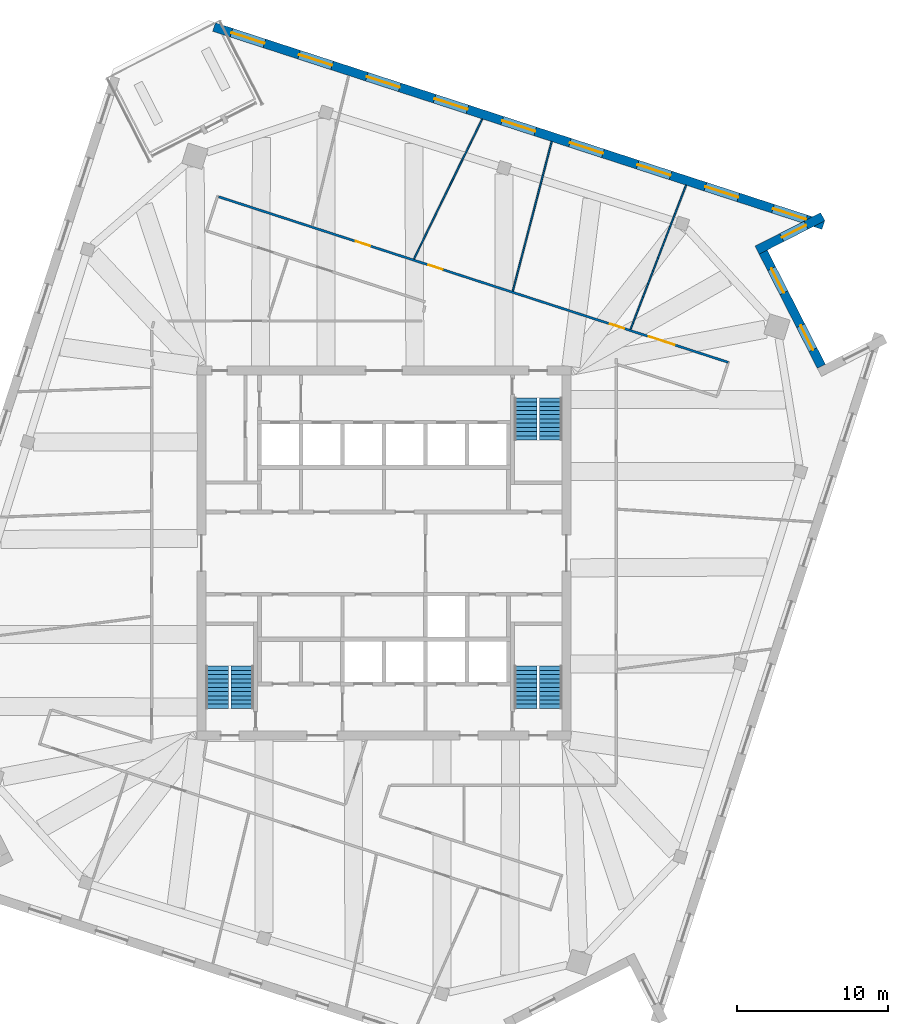
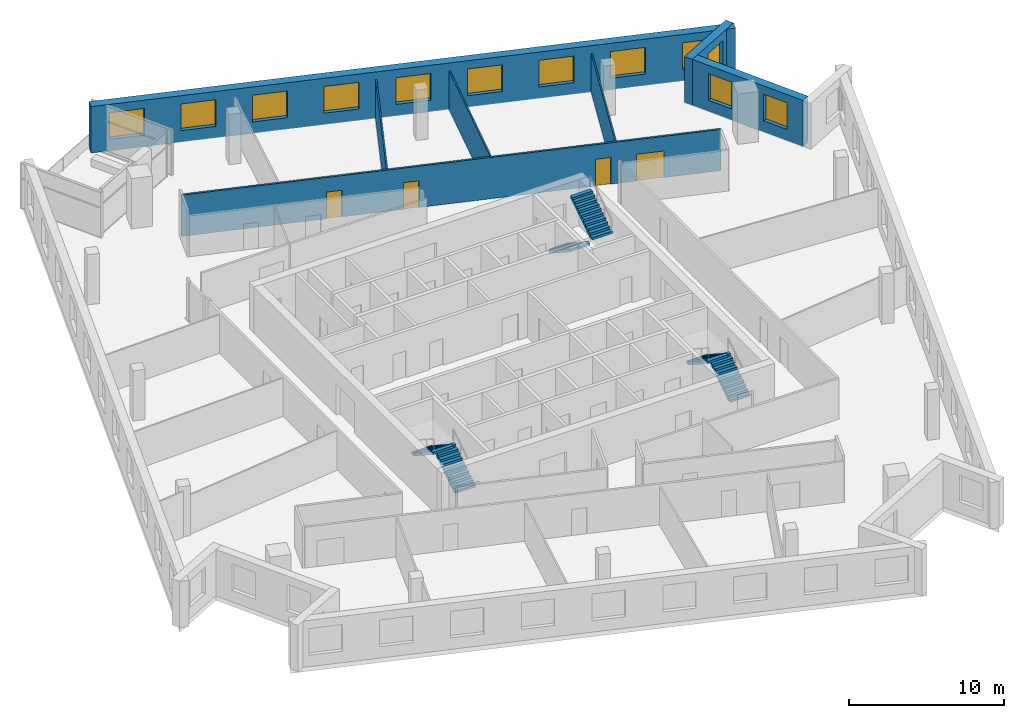
# One storey, part 11 of 13: 12 windows, 7 walls, 6 stair flights, 4 doors, 16 openings, 3 elements without a shape of their own.
"""IFC4 building model written with IfcOpenShell, lengths in metres."""

from ifc_helpers import new_model, si_unit, direction, frame, frame_2d, origin, place, context, subcontext, project, spatial, polyline, rectangle, outline, extrude, material, layer, layer_set, type_object, element, fill, aggregate, save


model = new_model("IFC4")

# Units and contexts
model_context = context("Model", 3, precision=1e-05, world=origin(), true_north=direction((0.0, 1.0)))
body_context = subcontext(model_context, "Body", "Model", "MODEL_VIEW")
ifc_project = project(units=[si_unit("LENGTHUNIT", "METRE"), si_unit("AREAUNIT", "SQUARE_METRE"), si_unit("VOLUMEUNIT", "CUBIC_METRE"), si_unit("PLANEANGLEUNIT", "RADIAN"), si_unit("MASSUNIT", "GRAM", prefix="KILO")], contexts=[model_context])

# Site, building, storey
site_placement = place(None, origin())
site = spatial("IfcSite", under=ifc_project, at=site_placement, CompositionType="ELEMENT")
building_placement = place(site_placement, origin())
building = spatial("IfcBuilding", under=site, at=building_placement, Name="Dilmun Exchange Tower", CompositionType="ELEMENT")
storey_placement = place(building_placement, frame((0.0, 0.0, 316.5)))
storey = spatial("IfcBuildingStorey", under=building, at=storey_placement, Name="L75", CompositionType="ELEMENT", Elevation=316.5)

# Wall, openings, doors
ifc_material_1 = material(Name="Corridor wall 150")
ifc_layer_1 = layer(ifc_material_1, 0.14990234375)
ifc_layer_set_1 = layer_set([ifc_layer_1], Name="Corridor wall 150")
wall_type_1 = type_object("IfcWallType", Name="Corridor wall 150", PredefinedType="PARTITIONING", material=ifc_layer_set_1)
wall_1_placement = place(storey_placement, frame((-10.963623046875, 23.634765625, 0.0), z_axis=(0.0, 0.0, 1.0), x_axis=(0.951055018443, -0.309021604252, 0.0)))
wall_1 = element("IfcWall", 1, at=wall_1_placement, inside=storey, type_object=wall_type_1, Name="Corridor wall", PredefinedType="PARTITIONING", context=body_context, shape_type="SweptSolid", body=[
    extrude(rectangle(XDim=35.536865234375, YDim=0.14990234375, at=frame_2d((17.7685546875, 0.0))), origin(), (0.0, 0.0, 1.0), 3.25),
])
opening_1_placement = place(wall_1_placement, frame((9.5537109375, 0.0, 0.0)))
opening_1 = element("IfcOpeningElement", 2, at=opening_1_placement, cuts=wall_1, Name="Opening TF75-D11", PredefinedType="OPENING", context=body_context, shape_type="SweptSolid", body=[
    extrude(rectangle(XDim=1.0, YDim=2.10009765625, at=frame_2d((0.5, 1.050048828125))), frame((0.0, 0.0849609375, 0.0), z_axis=(0.0, -1.0, 0.0), x_axis=(1.0, 0.0, 0.0)), (0.0, 0.0, 1.0), 0.169921875),
])
opening_2_placement = place(wall_1_placement, frame((14.62890625, 0.0, 0.0)))
opening_2 = element("IfcOpeningElement", 3, at=opening_2_placement, cuts=wall_1, Name="Opening TF75-D14", PredefinedType="OPENING", context=body_context, shape_type="SweptSolid", body=[
    extrude(rectangle(XDim=1.0, YDim=2.10009765625, at=frame_2d((0.5, 1.050048828125))), frame((0.0, 0.0849609375, 0.0), z_axis=(0.0, -1.0, 0.0), x_axis=(1.0, 0.0, 0.0)), (0.0, 0.0, 1.0), 0.169921875),
])
opening_3_placement = place(wall_1_placement, frame((27.287353515625, 0.0, 0.0)))
opening_3 = element("IfcOpeningElement", 4, at=opening_3_placement, cuts=wall_1, Name="Opening TF75-D15", PredefinedType="OPENING", context=body_context, shape_type="SweptSolid", body=[
    extrude(rectangle(XDim=1.0, YDim=2.10009765625, at=frame_2d((0.5, 1.050048828125))), frame((0.0, 0.0849609375, 0.0), z_axis=(0.0, -1.0, 0.0), x_axis=(1.0, 0.0, 0.0)), (0.0, 0.0, 1.0), 0.169921875),
])
opening_4_placement = place(wall_1_placement, frame((29.988037109375, 0.0, 0.0)))
opening_4 = element("IfcOpeningElement", 5, at=opening_4_placement, cuts=wall_1, Name="Opening TF75-D19", PredefinedType="OPENING", context=body_context, shape_type="SweptSolid", body=[
    extrude(rectangle(XDim=1.800048828125, YDim=2.10009765625, at=frame_2d((0.89990234375, 1.050048828125))), frame((0.0, 0.0849609375, 0.0), z_axis=(0.0, -1.0, 0.0), x_axis=(1.0, 0.0, 0.0)), (0.0, 0.0, 1.0), 0.169921875),
])
ifc_material_2 = material(Name="Fire door 1000 x 2100")
door_type_1 = type_object("IfcDoorType", Name="Fire door 1000 x 2100", OperationType="NOTDEFINED", PredefinedType="DOOR", material=ifc_material_2)
door_1_placement = place(opening_1_placement, origin())
door_1 = element("IfcDoor", 6, at=door_1_placement, inside=storey, type_object=door_type_1, Name="Door TF75-D11", OperationType="SINGLE_SWING_RIGHT", OverallHeight=2.10009765625, OverallWidth=1.0, PredefinedType="DOOR", context=body_context, shape_type="SweptSolid", body=[
    extrude(rectangle(XDim=1.0, YDim=2.10009765625, at=frame_2d((0.5, 1.050048828125))), frame((0.0, 0.02490234375, 0.0), z_axis=(0.0, -1.0, 0.0), x_axis=(1.0, 0.0, 0.0)), (0.0, 0.0, 1.0), 0.050048828125),
])
fill(opening_1, door_1)
door_2_placement = place(opening_2_placement, origin())
door_2 = element("IfcDoor", 7, at=door_2_placement, inside=storey, type_object=door_type_1, Name="Door TF75-D14", OperationType="SINGLE_SWING_LEFT", OverallHeight=2.10009765625, OverallWidth=1.0, PredefinedType="DOOR", context=body_context, shape_type="SweptSolid", body=[
    extrude(rectangle(XDim=1.0, YDim=2.10009765625, at=frame_2d((0.5, 1.050048828125))), frame((0.0, 0.02490234375, 0.0), z_axis=(0.0, -1.0, 0.0), x_axis=(1.0, 0.0, 0.0)), (0.0, 0.0, 1.0), 0.050048828125),
])
fill(opening_2, door_2)
door_3_placement = place(opening_3_placement, origin())
door_3 = element("IfcDoor", 8, at=door_3_placement, inside=storey, type_object=door_type_1, Name="Door TF75-D15", OperationType="SINGLE_SWING_LEFT", OverallHeight=2.10009765625, OverallWidth=1.0, PredefinedType="DOOR", context=body_context, shape_type="SweptSolid", body=[
    extrude(rectangle(XDim=1.0, YDim=2.10009765625, at=frame_2d((0.5, 1.050048828125))), frame((0.0, 0.02490234375, 0.0), z_axis=(0.0, -1.0, 0.0), x_axis=(1.0, 0.0, 0.0)), (0.0, 0.0, 1.0), 0.050048828125),
])
fill(opening_3, door_3)
ifc_material_3 = material(Name="Fire door pair 1800 x 2100")
door_type_2 = type_object("IfcDoorType", Name="Fire door pair 1800 x 2100", OperationType="NOTDEFINED", PredefinedType="DOOR", material=ifc_material_3)
door_4_placement = place(opening_4_placement, origin())
door_4 = element("IfcDoor", 9, at=door_4_placement, inside=storey, type_object=door_type_2, Name="Door TF75-D19", OperationType="DOUBLE_DOOR_SINGLE_SWING", OverallHeight=2.10009765625, OverallWidth=1.800048828125, PredefinedType="DOOR", context=body_context, shape_type="SweptSolid", body=[
    extrude(rectangle(XDim=1.800048828125, YDim=2.10009765625, at=frame_2d((0.89990234375, 1.050048828125))), frame((0.0, 0.02490234375, 0.0), z_axis=(0.0, -1.0, 0.0), x_axis=(1.0, 0.0, 0.0)), (0.0, 0.0, 1.0), 0.050048828125),
])
fill(opening_4, door_4)

# Walls
ifc_material_4 = material(Name="Partition 100")
ifc_layer_2 = layer(ifc_material_4, 0.10009765625)
ifc_layer_set_2 = layer_set([ifc_layer_2], Name="Partition 100")
wall_type_2 = type_object("IfcWallType", Name="Partition 100", PredefinedType="PARTITIONING", material=ifc_layer_set_2)
wall_2_placement = place(storey_placement, frame((1.9873046875, 19.513427734375, 0.0), z_axis=(0.0, 0.0, 1.0), x_axis=(0.438663040854, 0.898651621369, 0.0)))
element("IfcWall", 10, at=wall_2_placement, inside=storey, type_object=wall_type_2, Name="Partition", PredefinedType="PARTITIONING", context=body_context, shape_type="SweptSolid", body=[
    extrude(rectangle(XDim=10.326416015625, YDim=0.10009765625, at=frame_2d((5.1630859375, 0.0))), origin(), (0.0, 0.0, 1.0), 3.050048828125),
])
wall_3_placement = place(storey_placement, frame((8.542724609375, 17.378662109375, 0.0), z_axis=(0.0, 0.0, 1.0), x_axis=(0.251516032517, 0.967853132137, 0.0)))
element("IfcWall", 11, at=wall_3_placement, inside=storey, type_object=wall_type_2, Name="Partition", PredefinedType="PARTITIONING", context=body_context, shape_type="SweptSolid", body=[
    extrude(rectangle(XDim=10.248291015625, YDim=0.10009765625, at=frame_2d((5.1240234375, 0.0))), origin(), (0.0, 0.0, 1.0), 3.050048828125),
])
wall_4_placement = place(storey_placement, frame((16.347900390625, 14.842529296875, 0.0), z_axis=(0.0, 0.0, 1.0), x_axis=(0.360002455437, 0.932951355687, 0.0)))
element("IfcWall", 12, at=wall_4_placement, inside=storey, type_object=wall_type_2, Name="Partition", PredefinedType="PARTITIONING", context=body_context, shape_type="SweptSolid", body=[
    extrude(rectangle(XDim=10.2451171875, YDim=0.10009765625, at=frame_2d((5.12255859375, 0.0))), origin(), (0.0, 0.0, 1.0), 3.050048828125),
])

# Wall, openings, windows
ifc_material_5 = material(Name="Precast concrete C50/60", Category="concrete")
ifc_layer_3 = layer(ifc_material_5, 0.60009765625)
ifc_layer_set_3 = layer_set([ifc_layer_3], Name="Precast concrete C50/60")
wall_type_3 = type_object("IfcWallType", Name="Precast stone-clad wall 600", PredefinedType="STANDARD", material=ifc_layer_set_3)
wall_5_placement = place(storey_placement, frame((29.006103515625, 12.39013671875, 0.0), z_axis=(0.0, 0.0, 1.0), x_axis=(-0.453979132966, 0.891012315758, 0.0)))
wall_5 = element("IfcWall", 13, at=wall_5_placement, inside=storey, type_object=wall_type_3, Name="Facade wall L75-13", PredefinedType="STANDARD", context=body_context, shape_type="SweptSolid", body=[
    extrude(rectangle(XDim=8.500244140625, YDim=0.60009765625, at=frame_2d((4.25, 0.0))), origin(), (0.0, 0.0, 1.0), 3.64990234375),
])
opening_5_placement = place(wall_5_placement, frame((1.22509765625, 0.0, 0.89990234375)))
opening_5 = element("IfcOpeningElement", 14, at=opening_5_placement, cuts=wall_5, Name="Opening W180-210", PredefinedType="OPENING", context=body_context, shape_type="SweptSolid", body=[
    extrude(rectangle(XDim=1.800048828125, YDim=2.10009765625, at=frame_2d((0.89990234375, 1.050048828125))), frame((0.0, 0.31005859375, 0.0), z_axis=(0.0, -1.0, 0.0), x_axis=(1.0, 0.0, 0.0)), (0.0, 0.0, 1.0), 0.6201171875),
])
opening_6_placement = place(wall_5_placement, frame((5.47509765625, 0.0, 0.89990234375)))
opening_6 = element("IfcOpeningElement", 15, at=opening_6_placement, cuts=wall_5, Name="Opening W180-210", PredefinedType="OPENING", context=body_context, shape_type="SweptSolid", body=[
    extrude(rectangle(XDim=1.800048828125, YDim=2.10009765625, at=frame_2d((0.89990234375, 1.050048828125))), frame((0.0, 0.31005859375, 0.0), z_axis=(0.0, -1.0, 0.0), x_axis=(1.0, 0.0, 0.0)), (0.0, 0.0, 1.0), 0.6201171875),
])
ifc_material_6 = material(Name="Clear low-emissivity glass in aluminium frame", Category="aluminium")
window_type_1 = type_object("IfcWindowType", Name="Punched window 1800 x 2100", PartitioningType="DOUBLE_PANEL_VERTICAL", PredefinedType="WINDOW", material=ifc_material_6)
window_1_placement = place(opening_5_placement, origin())
window_1 = element("IfcWindow", 16, at=window_1_placement, inside=storey, type_object=window_type_1, Name="Window 14.1", OverallHeight=2.10009765625, OverallWidth=1.800048828125, PartitioningType="SINGLE_PANEL", PredefinedType="WINDOW", context=body_context, shape_type="SweptSolid", body=[
    extrude(rectangle(XDim=1.800048828125, YDim=2.10009765625, at=frame_2d((0.89990234375, 1.050048828125))), frame((0.0, 0.030029296875, 0.0), z_axis=(0.0, -1.0, 0.0), x_axis=(1.0, 0.0, 0.0)), (0.0, 0.0, 1.0), 0.06005859375),
])
fill(opening_5, window_1)
window_2_placement = place(opening_6_placement, origin())
window_2 = element("IfcWindow", 17, at=window_2_placement, inside=storey, type_object=window_type_1, Name="Window 14.2", OverallHeight=2.10009765625, OverallWidth=1.800048828125, PartitioningType="SINGLE_PANEL", PredefinedType="WINDOW", context=body_context, shape_type="SweptSolid", body=[
    extrude(rectangle(XDim=1.800048828125, YDim=2.10009765625, at=frame_2d((0.89990234375, 1.050048828125))), frame((0.0, 0.030029296875, 0.0), z_axis=(0.0, -1.0, 0.0), x_axis=(1.0, 0.0, 0.0)), (0.0, 0.0, 1.0), 0.06005859375),
])
fill(opening_6, window_2)

# Wall, opening, window
wall_6_placement = place(storey_placement, frame((24.74365234375, 20.094970703125, 0.0), z_axis=(0.0, 0.0, 1.0), x_axis=(0.891003264926, 0.453996896346, 0.0)))
wall_6 = element("IfcWall", 18, at=wall_6_placement, inside=storey, type_object=wall_type_3, Name="Facade wall L75-14", PredefinedType="STANDARD", context=body_context, shape_type="SweptSolid", body=[
    extrude(rectangle(XDim=4.885498046875, YDim=0.60009765625, at=frame_2d((2.44287109375, 0.0))), origin(), (0.0, 0.0, 1.0), 3.64990234375),
])
opening_7_placement = place(wall_6_placement, frame((1.8427734375, 0.0, 0.89990234375)))
opening_7 = element("IfcOpeningElement", 19, at=opening_7_placement, cuts=wall_6, Name="Opening W180-210", PredefinedType="OPENING", context=body_context, shape_type="SweptSolid", body=[
    extrude(rectangle(XDim=1.800048828125, YDim=2.10009765625, at=frame_2d((0.89990234375, 1.050048828125))), frame((0.0, 0.31005859375, 0.0), z_axis=(0.0, -1.0, 0.0), x_axis=(1.0, 0.0, 0.0)), (0.0, 0.0, 1.0), 0.6201171875),
])
window_3_placement = place(opening_7_placement, origin())
window_3 = element("IfcWindow", 20, at=window_3_placement, inside=storey, type_object=window_type_1, Name="Window 15.1", OverallHeight=2.10009765625, OverallWidth=1.800048828125, PartitioningType="SINGLE_PANEL", PredefinedType="WINDOW", context=body_context, shape_type="SweptSolid", body=[
    extrude(rectangle(XDim=1.800048828125, YDim=2.10009765625, at=frame_2d((0.89990234375, 1.050048828125))), frame((0.0, 0.030029296875, 0.0), z_axis=(0.0, -1.0, 0.0), x_axis=(1.0, 0.0, 0.0)), (0.0, 0.0, 1.0), 0.06005859375),
])
fill(opening_7, window_3)

# Wall, openings, windows
wall_7_placement = place(storey_placement, frame((29.14013671875, 21.76025390625, 0.0), z_axis=(0.0, 0.0, 1.0), x_axis=(-0.951057712071, 0.309013314132, 0.0)))
wall_7 = element("IfcWall", 21, at=wall_7_placement, inside=storey, type_object=wall_type_3, Name="Facade wall L75-15", PredefinedType="STANDARD", context=body_context, shape_type="SweptSolid", body=[
    extrude(rectangle(XDim=42.48974609375, YDim=0.60009765625, at=frame_2d((21.244873046875, 0.0))), origin(), (0.0, 0.0, 1.0), 3.64990234375),
])
opening_8_placement = place(wall_7_placement, frame((1.21044921875, 0.0, 0.89990234375)))
opening_8 = element("IfcOpeningElement", 22, at=opening_8_placement, cuts=wall_7, Name="Opening W230-210", PredefinedType="OPENING", context=body_context, shape_type="SweptSolid", body=[
    extrude(rectangle(XDim=2.300048828125, YDim=2.10009765625, at=frame_2d((1.14990234375, 1.050048828125))), frame((0.0, 0.31005859375, 0.0), z_axis=(0.0, -1.0, 0.0), x_axis=(1.0, 0.0, 0.0)), (0.0, 0.0, 1.0), 0.6201171875),
])
opening_9_placement = place(wall_7_placement, frame((5.931640625, 0.0, 0.89990234375)))
opening_9 = element("IfcOpeningElement", 23, at=opening_9_placement, cuts=wall_7, Name="Opening W230-210", PredefinedType="OPENING", context=body_context, shape_type="SweptSolid", body=[
    extrude(rectangle(XDim=2.300048828125, YDim=2.10009765625, at=frame_2d((1.14990234375, 1.050048828125))), frame((0.0, 0.31005859375, 0.0), z_axis=(0.0, -1.0, 0.0), x_axis=(1.0, 0.0, 0.0)), (0.0, 0.0, 1.0), 0.6201171875),
])
opening_10_placement = place(wall_7_placement, frame((10.652587890625, 0.0, 0.89990234375)))
opening_10 = element("IfcOpeningElement", 24, at=opening_10_placement, cuts=wall_7, Name="Opening W230-210", PredefinedType="OPENING", context=body_context, shape_type="SweptSolid", body=[
    extrude(rectangle(XDim=2.300048828125, YDim=2.10009765625, at=frame_2d((1.14990234375, 1.050048828125))), frame((0.0, 0.31005859375, 0.0), z_axis=(0.0, -1.0, 0.0), x_axis=(1.0, 0.0, 0.0)), (0.0, 0.0, 1.0), 0.6201171875),
])
opening_11_placement = place(wall_7_placement, frame((15.373779296875, 0.0, 0.89990234375)))
opening_11 = element("IfcOpeningElement", 25, at=opening_11_placement, cuts=wall_7, Name="Opening W230-210", PredefinedType="OPENING", context=body_context, shape_type="SweptSolid", body=[
    extrude(rectangle(XDim=2.300048828125, YDim=2.10009765625, at=frame_2d((1.14990234375, 1.050048828125))), frame((0.0, 0.31005859375, 0.0), z_axis=(0.0, -1.0, 0.0), x_axis=(1.0, 0.0, 0.0)), (0.0, 0.0, 1.0), 0.6201171875),
])
opening_12_placement = place(wall_7_placement, frame((20.0947265625, 0.0, 0.89990234375)))
opening_12 = element("IfcOpeningElement", 26, at=opening_12_placement, cuts=wall_7, Name="Opening W230-210", PredefinedType="OPENING", context=body_context, shape_type="SweptSolid", body=[
    extrude(rectangle(XDim=2.300048828125, YDim=2.10009765625, at=frame_2d((1.14990234375, 1.050048828125))), frame((0.0, 0.31005859375, 0.0), z_axis=(0.0, -1.0, 0.0), x_axis=(1.0, 0.0, 0.0)), (0.0, 0.0, 1.0), 0.6201171875),
])
opening_13_placement = place(wall_7_placement, frame((24.81591796875, 0.0, 0.89990234375)))
opening_13 = element("IfcOpeningElement", 27, at=opening_13_placement, cuts=wall_7, Name="Opening W230-210", PredefinedType="OPENING", context=body_context, shape_type="SweptSolid", body=[
    extrude(rectangle(XDim=2.300048828125, YDim=2.10009765625, at=frame_2d((1.14990234375, 1.050048828125))), frame((0.0, 0.31005859375, 0.0), z_axis=(0.0, -1.0, 0.0), x_axis=(1.0, 0.0, 0.0)), (0.0, 0.0, 1.0), 0.6201171875),
])
opening_14_placement = place(wall_7_placement, frame((29.536865234375, 0.0, 0.89990234375)))
opening_14 = element("IfcOpeningElement", 28, at=opening_14_placement, cuts=wall_7, Name="Opening W230-210", PredefinedType="OPENING", context=body_context, shape_type="SweptSolid", body=[
    extrude(rectangle(XDim=2.300048828125, YDim=2.10009765625, at=frame_2d((1.14990234375, 1.050048828125))), frame((0.0, 0.31005859375, 0.0), z_axis=(0.0, -1.0, 0.0), x_axis=(1.0, 0.0, 0.0)), (0.0, 0.0, 1.0), 0.6201171875),
])
opening_15_placement = place(wall_7_placement, frame((34.258056640625, 0.0, 0.89990234375)))
opening_15 = element("IfcOpeningElement", 29, at=opening_15_placement, cuts=wall_7, Name="Opening W230-210", PredefinedType="OPENING", context=body_context, shape_type="SweptSolid", body=[
    extrude(rectangle(XDim=2.300048828125, YDim=2.10009765625, at=frame_2d((1.14990234375, 1.050048828125))), frame((0.0, 0.31005859375, 0.0), z_axis=(0.0, -1.0, 0.0), x_axis=(1.0, 0.0, 0.0)), (0.0, 0.0, 1.0), 0.6201171875),
])
opening_16_placement = place(wall_7_placement, frame((38.97900390625, 0.0, 0.89990234375)))
opening_16 = element("IfcOpeningElement", 30, at=opening_16_placement, cuts=wall_7, Name="Opening W230-210", PredefinedType="OPENING", context=body_context, shape_type="SweptSolid", body=[
    extrude(rectangle(XDim=2.300048828125, YDim=2.10009765625, at=frame_2d((1.14990234375, 1.050048828125))), frame((0.0, 0.31005859375, 0.0), z_axis=(0.0, -1.0, 0.0), x_axis=(1.0, 0.0, 0.0)), (0.0, 0.0, 1.0), 0.6201171875),
])
window_type_2 = type_object("IfcWindowType", Name="Punched window 2300 x 2100", PartitioningType="DOUBLE_PANEL_VERTICAL", PredefinedType="WINDOW", material=ifc_material_6)
window_4_placement = place(opening_8_placement, origin())
window_4 = element("IfcWindow", 31, at=window_4_placement, inside=storey, type_object=window_type_2, Name="Window 16.1", OverallHeight=2.10009765625, OverallWidth=2.300048828125, PartitioningType="SINGLE_PANEL", PredefinedType="WINDOW", context=body_context, shape_type="SweptSolid", body=[
    extrude(rectangle(XDim=2.300048828125, YDim=2.10009765625, at=frame_2d((1.14990234375, 1.050048828125))), frame((0.0, 0.030029296875, 0.0), z_axis=(0.0, -1.0, 0.0), x_axis=(1.0, 0.0, 0.0)), (0.0, 0.0, 1.0), 0.06005859375),
])
fill(opening_8, window_4)
window_5_placement = place(opening_9_placement, origin())
window_5 = element("IfcWindow", 32, at=window_5_placement, inside=storey, type_object=window_type_2, Name="Window 16.2", OverallHeight=2.10009765625, OverallWidth=2.300048828125, PartitioningType="SINGLE_PANEL", PredefinedType="WINDOW", context=body_context, shape_type="SweptSolid", body=[
    extrude(rectangle(XDim=2.300048828125, YDim=2.10009765625, at=frame_2d((1.14990234375, 1.050048828125))), frame((0.0, 0.030029296875, 0.0), z_axis=(0.0, -1.0, 0.0), x_axis=(1.0, 0.0, 0.0)), (0.0, 0.0, 1.0), 0.06005859375),
])
fill(opening_9, window_5)
window_6_placement = place(opening_10_placement, origin())
window_6 = element("IfcWindow", 33, at=window_6_placement, inside=storey, type_object=window_type_2, Name="Window 16.3", OverallHeight=2.10009765625, OverallWidth=2.300048828125, PartitioningType="SINGLE_PANEL", PredefinedType="WINDOW", context=body_context, shape_type="SweptSolid", body=[
    extrude(rectangle(XDim=2.300048828125, YDim=2.10009765625, at=frame_2d((1.14990234375, 1.050048828125))), frame((0.0, 0.030029296875, 0.0), z_axis=(0.0, -1.0, 0.0), x_axis=(1.0, 0.0, 0.0)), (0.0, 0.0, 1.0), 0.06005859375),
])
fill(opening_10, window_6)
window_7_placement = place(opening_11_placement, origin())
window_7 = element("IfcWindow", 34, at=window_7_placement, inside=storey, type_object=window_type_2, Name="Window 16.4", OverallHeight=2.10009765625, OverallWidth=2.300048828125, PartitioningType="SINGLE_PANEL", PredefinedType="WINDOW", context=body_context, shape_type="SweptSolid", body=[
    extrude(rectangle(XDim=2.300048828125, YDim=2.10009765625, at=frame_2d((1.14990234375, 1.050048828125))), frame((0.0, 0.030029296875, 0.0), z_axis=(0.0, -1.0, 0.0), x_axis=(1.0, 0.0, 0.0)), (0.0, 0.0, 1.0), 0.06005859375),
])
fill(opening_11, window_7)
window_8_placement = place(opening_12_placement, origin())
window_8 = element("IfcWindow", 35, at=window_8_placement, inside=storey, type_object=window_type_2, Name="Window 16.5", OverallHeight=2.10009765625, OverallWidth=2.300048828125, PartitioningType="SINGLE_PANEL", PredefinedType="WINDOW", context=body_context, shape_type="SweptSolid", body=[
    extrude(rectangle(XDim=2.300048828125, YDim=2.10009765625, at=frame_2d((1.14990234375, 1.050048828125))), frame((0.0, 0.030029296875, 0.0), z_axis=(0.0, -1.0, 0.0), x_axis=(1.0, 0.0, 0.0)), (0.0, 0.0, 1.0), 0.06005859375),
])
fill(opening_12, window_8)
window_9_placement = place(opening_13_placement, origin())
window_9 = element("IfcWindow", 36, at=window_9_placement, inside=storey, type_object=window_type_2, Name="Window 16.6", OverallHeight=2.10009765625, OverallWidth=2.300048828125, PartitioningType="SINGLE_PANEL", PredefinedType="WINDOW", context=body_context, shape_type="SweptSolid", body=[
    extrude(rectangle(XDim=2.300048828125, YDim=2.10009765625, at=frame_2d((1.14990234375, 1.050048828125))), frame((0.0, 0.030029296875, 0.0), z_axis=(0.0, -1.0, 0.0), x_axis=(1.0, 0.0, 0.0)), (0.0, 0.0, 1.0), 0.06005859375),
])
fill(opening_13, window_9)
window_10_placement = place(opening_14_placement, origin())
window_10 = element("IfcWindow", 37, at=window_10_placement, inside=storey, type_object=window_type_2, Name="Window 16.7", OverallHeight=2.10009765625, OverallWidth=2.300048828125, PartitioningType="SINGLE_PANEL", PredefinedType="WINDOW", context=body_context, shape_type="SweptSolid", body=[
    extrude(rectangle(XDim=2.300048828125, YDim=2.10009765625, at=frame_2d((1.14990234375, 1.050048828125))), frame((0.0, 0.030029296875, 0.0), z_axis=(0.0, -1.0, 0.0), x_axis=(1.0, 0.0, 0.0)), (0.0, 0.0, 1.0), 0.06005859375),
])
fill(opening_14, window_10)
window_11_placement = place(opening_15_placement, origin())
window_11 = element("IfcWindow", 38, at=window_11_placement, inside=storey, type_object=window_type_2, Name="Window 16.8", OverallHeight=2.10009765625, OverallWidth=2.300048828125, PartitioningType="SINGLE_PANEL", PredefinedType="WINDOW", context=body_context, shape_type="SweptSolid", body=[
    extrude(rectangle(XDim=2.300048828125, YDim=2.10009765625, at=frame_2d((1.14990234375, 1.050048828125))), frame((0.0, 0.030029296875, 0.0), z_axis=(0.0, -1.0, 0.0), x_axis=(1.0, 0.0, 0.0)), (0.0, 0.0, 1.0), 0.06005859375),
])
fill(opening_15, window_11)
window_12_placement = place(opening_16_placement, origin())
window_12 = element("IfcWindow", 39, at=window_12_placement, inside=storey, type_object=window_type_2, Name="Window 16.9", OverallHeight=2.10009765625, OverallWidth=2.300048828125, PartitioningType="SINGLE_PANEL", PredefinedType="WINDOW", context=body_context, shape_type="SweptSolid", body=[
    extrude(rectangle(XDim=2.300048828125, YDim=2.10009765625, at=frame_2d((1.14990234375, 1.050048828125))), frame((0.0, 0.030029296875, 0.0), z_axis=(0.0, -1.0, 0.0), x_axis=(1.0, 0.0, 0.0)), (0.0, 0.0, 1.0), 0.06005859375),
])
fill(opening_16, window_12)

# Stair, stair flights
ifc_material_7 = material(Name="Concrete C40/50", Category="concrete")
stair_type = type_object("IfcStairType", Name="Exit stair 1500 half-turn", PredefinedType="HALF_TURN_STAIR", material=ifc_material_7)
stair_1_placement = place(storey_placement, origin())
stair_1 = element("IfcStair", 40, at=stair_1_placement, inside=storey, type_object=stair_type, Name="L75 Protected exit stair ST1", PredefinedType="HALF_TURN_STAIR")
stair_flight_type = type_object("IfcStairFlightType", Name="Exit stair flight 1500", PredefinedType="STRAIGHT", material=ifc_material_7)
stair_flight_1_placement = place(storey_placement, frame((9.39990234375, 10.300048828125, 0.0), z_axis=(0.0, 0.0, 1.0), x_axis=(0.0, -1.0, 0.0)))
stair_flight_1 = element("IfcStairFlight", 41, at=stair_flight_1_placement, type_object=stair_flight_type, Name="ST1 flight 1", NumberOfRisers=11, NumberOfTreads=10, PredefinedType="STRAIGHT", RiserHeight=0.181818182, TreadLength=0.28, context=body_context, shape_type="SweptSolid", body=[
    extrude(outline(polyline([(0.0, 0.0), (0.0, 0.181884765625), (0.280029296875, 0.181884765625), (0.280029296875, 0.363525390625), (0.56005859375, 0.363525390625), (0.56005859375, 0.54541015625), (0.840087890625, 0.54541015625), (0.840087890625, 0.727294921875), (1.1201171875, 0.727294921875), (1.1201171875, 0.9091796875), (1.39990234375, 0.9091796875), (1.39990234375, 1.0908203125), (1.679931640625, 1.0908203125), (1.679931640625, 1.272705078125), (1.9599609375, 1.272705078125), (1.9599609375, 1.45458984375), (2.239990234375, 1.45458984375), (2.239990234375, 1.636474609375), (2.52001953125, 1.636474609375), (2.52001953125, 1.818115234375), (2.800048828125, 1.818115234375), (2.800048828125, 2.0), (2.800048828125, 1.639404296875), (0.275146484375, 0.0), (0.0, 0.0)])), frame((0.0, 0.75, 0.0), z_axis=(0.0, -1.0, 0.0), x_axis=(1.0, 0.0, 0.0)), (0.0, 0.0, 1.0), 1.5),
])
stair_flight_2_placement = place(storey_placement, frame((11.050048828125, 7.5, 2.0), z_axis=(0.0, 0.0, 1.0), x_axis=(0.0, 1.0, 0.0)))
stair_flight_2 = element("IfcStairFlight", 42, at=stair_flight_2_placement, type_object=stair_flight_type, Name="ST1 flight 2", NumberOfRisers=11, NumberOfTreads=10, PredefinedType="STRAIGHT", RiserHeight=0.181818182, TreadLength=0.28, context=body_context, shape_type="SweptSolid", body=[
    extrude(outline(polyline([(0.0, 0.0), (0.0, 0.181884765625), (0.280029296875, 0.181884765625), (0.280029296875, 0.363525390625), (0.56005859375, 0.363525390625), (0.56005859375, 0.54541015625), (0.840087890625, 0.54541015625), (0.840087890625, 0.727294921875), (1.1201171875, 0.727294921875), (1.1201171875, 0.9091796875), (1.39990234375, 0.9091796875), (1.39990234375, 1.0908203125), (1.679931640625, 1.0908203125), (1.679931640625, 1.272705078125), (1.9599609375, 1.272705078125), (1.9599609375, 1.45458984375), (2.239990234375, 1.45458984375), (2.239990234375, 1.636474609375), (2.52001953125, 1.636474609375), (2.52001953125, 1.818115234375), (2.800048828125, 1.818115234375), (2.800048828125, 2.0), (2.800048828125, 1.639404296875), (0.275146484375, 0.0), (0.0, 0.0)])), frame((0.0, 0.75, 0.0), z_axis=(0.0, -1.0, 0.0), x_axis=(1.0, 0.0, 0.0)), (0.0, 0.0, 1.0), 1.5),
])
aggregate(stair_1, [stair_flight_1, stair_flight_2])

stair_2_placement = place(storey_placement, origin())
stair_2 = element("IfcStair", 43, at=stair_2_placement, inside=storey, type_object=stair_type, Name="L75 Protected exit stair ST2", PredefinedType="HALF_TURN_STAIR")
stair_flight_3_placement = place(storey_placement, frame((-9.39990234375, -10.300048828125, 0.0), z_axis=(0.0, 0.0, 1.0), x_axis=(0.0, 1.0, 0.0)))
stair_flight_3 = element("IfcStairFlight", 44, at=stair_flight_3_placement, type_object=stair_flight_type, Name="ST2 flight 1", NumberOfRisers=11, NumberOfTreads=10, PredefinedType="STRAIGHT", RiserHeight=0.181818182, TreadLength=0.28, context=body_context, shape_type="SweptSolid", body=[
    extrude(outline(polyline([(0.0, 0.0), (0.0, 0.181884765625), (0.280029296875, 0.181884765625), (0.280029296875, 0.363525390625), (0.56005859375, 0.363525390625), (0.56005859375, 0.54541015625), (0.840087890625, 0.54541015625), (0.840087890625, 0.727294921875), (1.1201171875, 0.727294921875), (1.1201171875, 0.9091796875), (1.39990234375, 0.9091796875), (1.39990234375, 1.0908203125), (1.679931640625, 1.0908203125), (1.679931640625, 1.272705078125), (1.9599609375, 1.272705078125), (1.9599609375, 1.45458984375), (2.239990234375, 1.45458984375), (2.239990234375, 1.636474609375), (2.52001953125, 1.636474609375), (2.52001953125, 1.818115234375), (2.800048828125, 1.818115234375), (2.800048828125, 2.0), (2.800048828125, 1.639404296875), (0.275146484375, 0.0), (0.0, 0.0)])), frame((0.0, 0.75, 0.0), z_axis=(0.0, -1.0, 0.0), x_axis=(1.0, 0.0, 0.0)), (0.0, 0.0, 1.0), 1.5),
])
stair_flight_4_placement = place(storey_placement, frame((-11.050048828125, -7.5, 2.0), z_axis=(0.0, 0.0, 1.0), x_axis=(0.0, -1.0, 0.0)))
stair_flight_4 = element("IfcStairFlight", 45, at=stair_flight_4_placement, type_object=stair_flight_type, Name="ST2 flight 2", NumberOfRisers=11, NumberOfTreads=10, PredefinedType="STRAIGHT", RiserHeight=0.181818182, TreadLength=0.28, context=body_context, shape_type="SweptSolid", body=[
    extrude(outline(polyline([(0.0, 0.0), (0.0, 0.181884765625), (0.280029296875, 0.181884765625), (0.280029296875, 0.363525390625), (0.56005859375, 0.363525390625), (0.56005859375, 0.54541015625), (0.840087890625, 0.54541015625), (0.840087890625, 0.727294921875), (1.1201171875, 0.727294921875), (1.1201171875, 0.9091796875), (1.39990234375, 0.9091796875), (1.39990234375, 1.0908203125), (1.679931640625, 1.0908203125), (1.679931640625, 1.272705078125), (1.9599609375, 1.272705078125), (1.9599609375, 1.45458984375), (2.239990234375, 1.45458984375), (2.239990234375, 1.636474609375), (2.52001953125, 1.636474609375), (2.52001953125, 1.818115234375), (2.800048828125, 1.818115234375), (2.800048828125, 2.0), (2.800048828125, 1.639404296875), (0.275146484375, 0.0), (0.0, 0.0)])), frame((0.0, 0.75, 0.0), z_axis=(0.0, -1.0, 0.0), x_axis=(1.0, 0.0, 0.0)), (0.0, 0.0, 1.0), 1.5),
])
aggregate(stair_2, [stair_flight_3, stair_flight_4])

stair_3_placement = place(storey_placement, origin())
stair_3 = element("IfcStair", 46, at=stair_3_placement, inside=storey, type_object=stair_type, Name="L75 Protected exit stair ST3", PredefinedType="HALF_TURN_STAIR")
stair_flight_5_placement = place(storey_placement, frame((11.050048828125, -10.300048828125, 0.0), z_axis=(0.0, 0.0, 1.0), x_axis=(0.0, 1.0, 0.0)))
stair_flight_5 = element("IfcStairFlight", 47, at=stair_flight_5_placement, type_object=stair_flight_type, Name="ST3 flight 1", NumberOfRisers=11, NumberOfTreads=10, PredefinedType="STRAIGHT", RiserHeight=0.181818182, TreadLength=0.28, context=body_context, shape_type="SweptSolid", body=[
    extrude(outline(polyline([(0.0, 0.0), (0.0, 0.181884765625), (0.280029296875, 0.181884765625), (0.280029296875, 0.363525390625), (0.56005859375, 0.363525390625), (0.56005859375, 0.54541015625), (0.840087890625, 0.54541015625), (0.840087890625, 0.727294921875), (1.1201171875, 0.727294921875), (1.1201171875, 0.9091796875), (1.39990234375, 0.9091796875), (1.39990234375, 1.0908203125), (1.679931640625, 1.0908203125), (1.679931640625, 1.272705078125), (1.9599609375, 1.272705078125), (1.9599609375, 1.45458984375), (2.239990234375, 1.45458984375), (2.239990234375, 1.636474609375), (2.52001953125, 1.636474609375), (2.52001953125, 1.818115234375), (2.800048828125, 1.818115234375), (2.800048828125, 2.0), (2.800048828125, 1.639404296875), (0.275146484375, 0.0), (0.0, 0.0)])), frame((0.0, 0.75, 0.0), z_axis=(0.0, -1.0, 0.0), x_axis=(1.0, 0.0, 0.0)), (0.0, 0.0, 1.0), 1.5),
])
stair_flight_6_placement = place(storey_placement, frame((9.39990234375, -7.5, 2.0), z_axis=(0.0, 0.0, 1.0), x_axis=(0.0, -1.0, 0.0)))
stair_flight_6 = element("IfcStairFlight", 48, at=stair_flight_6_placement, type_object=stair_flight_type, Name="ST3 flight 2", NumberOfRisers=11, NumberOfTreads=10, PredefinedType="STRAIGHT", RiserHeight=0.181818182, TreadLength=0.28, context=body_context, shape_type="SweptSolid", body=[
    extrude(outline(polyline([(0.0, 0.0), (0.0, 0.181884765625), (0.280029296875, 0.181884765625), (0.280029296875, 0.363525390625), (0.56005859375, 0.363525390625), (0.56005859375, 0.54541015625), (0.840087890625, 0.54541015625), (0.840087890625, 0.727294921875), (1.1201171875, 0.727294921875), (1.1201171875, 0.9091796875), (1.39990234375, 0.9091796875), (1.39990234375, 1.0908203125), (1.679931640625, 1.0908203125), (1.679931640625, 1.272705078125), (1.9599609375, 1.272705078125), (1.9599609375, 1.45458984375), (2.239990234375, 1.45458984375), (2.239990234375, 1.636474609375), (2.52001953125, 1.636474609375), (2.52001953125, 1.818115234375), (2.800048828125, 1.818115234375), (2.800048828125, 2.0), (2.800048828125, 1.639404296875), (0.275146484375, 0.0), (0.0, 0.0)])), frame((0.0, 0.75, 0.0), z_axis=(0.0, -1.0, 0.0), x_axis=(1.0, 0.0, 0.0)), (0.0, 0.0, 1.0), 1.5),
])
aggregate(stair_3, [stair_flight_5, stair_flight_6])

save(model, "model.ifc")
